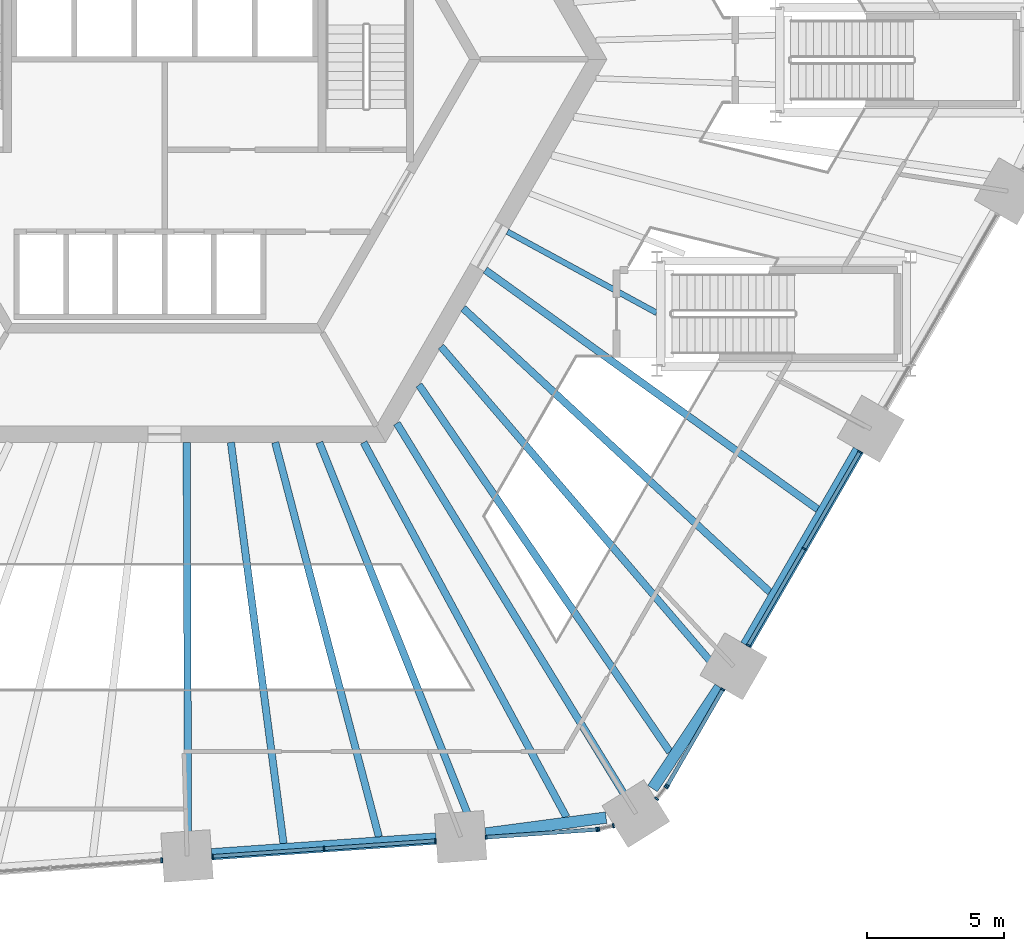
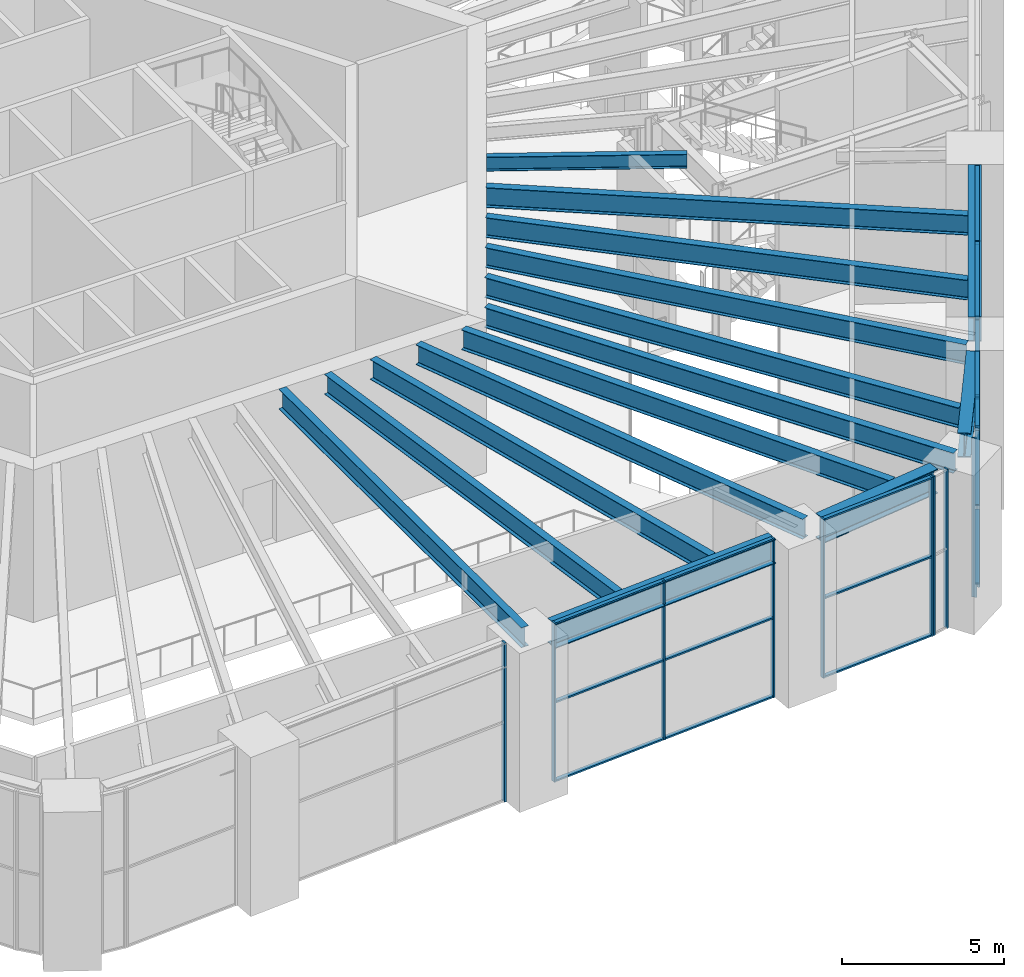
# One storey, part 5 of 32: 33 members, 15 beams, 7 elements without a shape of their own.
"""IFC4 building model written with IfcOpenShell, lengths in metres."""

from ifc_helpers import new_model, si_unit, direction, frame, origin, origin_2d, place, context, subcontext, project, spatial, rectangle, i_section, extrude, material, material_profile, profile_set, type_object, element, aggregate, save


model = new_model("IFC4")

# Units and contexts
model_context = context("Model", 3, precision=1e-05, world=origin(), true_north=direction((0.0, 1.0)))
body_context = subcontext(model_context, "Body", "Model", "MODEL_VIEW")
ifc_project = project(units=[si_unit("LENGTHUNIT", "METRE"), si_unit("AREAUNIT", "SQUARE_METRE"), si_unit("VOLUMEUNIT", "CUBIC_METRE"), si_unit("PLANEANGLEUNIT", "RADIAN"), si_unit("MASSUNIT", "GRAM", prefix="KILO")], contexts=[model_context])

# Site, building, storey
site_placement = place(None, origin())
site = spatial("IfcSite", under=ifc_project, at=site_placement, CompositionType="ELEMENT")
building_placement = place(site_placement, origin())
building = spatial("IfcBuilding", under=site, at=building_placement, Name="Tarnside Tower", CompositionType="ELEMENT")
storey_placement = place(building_placement, frame((0.0, 0.0, 9.0)))
storey = spatial("IfcBuildingStorey", under=building, at=storey_placement, Name="L01", CompositionType="ELEMENT", Elevation=9.0)

# Beams
ifc_material_1 = material(Name="Steel S355", Category="steel")
ifc_material_profile_1 = material_profile(ifc_material_1, i_section(OverallWidth=0.209228515625, OverallDepth=0.533203125, WebThickness=0.010009765625, FlangeThickness=0.015625, FilletRadius=0.0126953125, at=origin_2d()), Name="UB 533x210x92")
ifc_profile_set_1 = profile_set([ifc_material_profile_1], Name="Steel S355")
beam_type_1 = type_object("IfcBeamType", Name="Floor beam UB 533x210x92", PredefinedType="BEAM", material=ifc_profile_set_1)
beam_1_placement = place(storey_placement, frame((17.982421875, -9.26513671875, 5.4833984375), z_axis=(-0.878554552905, 0.477642018221, 0.0), x_axis=(-0.477642018221, -0.878554552905, 0.0)))
element("IfcBeam", 1, at=beam_1_placement, inside=storey, type_object=beam_type_1, Name="Floor beam F5.05b", PredefinedType="BEAM", context=body_context, shape_type="SweptSolid", body=[
    extrude(i_section(OverallWidth=0.209228515625, OverallDepth=0.533203125, WebThickness=0.010009765625, FlangeThickness=0.015625, FilletRadius=0.0126953125, at=origin_2d()), origin(), (0.0, 0.0, 1.0), 6.207763671875),
])
ifc_material_profile_2 = material_profile(ifc_material_1, i_section(OverallWidth=0.26513671875, OverallDepth=0.75390625, WebThickness=0.0126953125, FlangeThickness=0.017578125, FilletRadius=0.0166015625, at=origin_2d()), Name="UB 762x267x147")
ifc_profile_set_2 = profile_set([ifc_material_profile_2], Name="Steel S355")
beam_type_2 = type_object("IfcBeamType", Name="Floor beam UB 762x267x147", PredefinedType="BEAM", material=ifc_profile_set_2)
beam_2_placement = place(storey_placement, frame((0.8623046875, -28.89990234375, 5.373046875), z_axis=(-0.003621146175, 0.999993443629, 0.0), x_axis=(-0.999993443629, -0.003621146175, 0.0)))
element("IfcBeam", 2, at=beam_2_placement, inside=storey, type_object=beam_type_2, Name="Floor beam F4.05", PredefinedType="BEAM", context=body_context, shape_type="SweptSolid", body=[
    extrude(i_section(OverallWidth=0.26513671875, OverallDepth=0.75390625, WebThickness=0.0126953125, FlangeThickness=0.017578125, FilletRadius=0.0166015625, at=origin_2d()), origin(), (0.0, 0.0, 1.0), 14.89990234375),
])
beam_3_placement = place(storey_placement, frame((4.34765625, -28.65625, 5.373046875), z_axis=(-0.130081949033, 0.991503245852, 0.0), x_axis=(-0.991503245852, -0.130081949033, 0.0)))
element("IfcBeam", 3, at=beam_3_placement, inside=storey, type_object=beam_type_2, Name="Floor beam F4.06", PredefinedType="BEAM", context=body_context, shape_type="SweptSolid", body=[
    extrude(i_section(OverallWidth=0.26513671875, OverallDepth=0.75390625, WebThickness=0.0126953125, FlangeThickness=0.017578125, FilletRadius=0.0166015625, at=origin_2d()), origin(), (0.0, 0.0, 1.0), 14.78173828125),
])
beam_4_placement = place(storey_placement, frame((7.83154296875, -28.41259765625, 5.373046875), z_axis=(-0.254320728051, 0.967119934281, 0.0), x_axis=(-0.967119934281, -0.254320728051, 0.0)))
element("IfcBeam", 4, at=beam_4_placement, inside=storey, type_object=beam_type_2, Name="Floor beam F4.07", PredefinedType="BEAM", context=body_context, shape_type="SweptSolid", body=[
    extrude(i_section(OverallWidth=0.26513671875, OverallDepth=0.75390625, WebThickness=0.0126953125, FlangeThickness=0.017578125, FilletRadius=0.0166015625, at=origin_2d()), origin(), (0.0, 0.0, 1.0), 14.902587890625),
])
beam_5_placement = place(storey_placement, frame((11.3017578125, -28.138671875, 5.373046875), z_axis=(-0.370729742981, 0.928740791432, 0.0), x_axis=(-0.928740791432, -0.370729742981, 0.0)))
element("IfcBeam", 5, at=beam_5_placement, inside=storey, type_object=beam_type_2, Name="Floor beam F4.08", PredefinedType="BEAM", context=body_context, shape_type="SweptSolid", body=[
    extrude(i_section(OverallWidth=0.26513671875, OverallDepth=0.75390625, WebThickness=0.0126953125, FlangeThickness=0.017578125, FilletRadius=0.0166015625, at=origin_2d()), origin(), (0.0, 0.0, 1.0), 15.223388671875),
])
beam_6_placement = place(storey_placement, frame((14.684814453125, -27.690673828125, 5.373046875), z_axis=(-0.476003739456, 0.879443255716, 0.0), x_axis=(-0.879443255716, -0.476003739456, 0.0)))
element("IfcBeam", 6, at=beam_6_placement, inside=storey, type_object=beam_type_2, Name="Floor beam F4.09", PredefinedType="BEAM", context=body_context, shape_type="SweptSolid", body=[
    extrude(i_section(OverallWidth=0.26513671875, OverallDepth=0.75390625, WebThickness=0.0126953125, FlangeThickness=0.017578125, FilletRadius=0.0166015625, at=origin_2d()), origin(), (0.0, 0.0, 1.0), 15.5673828125),
])
beam_7_placement = place(storey_placement, frame((20.351806640625, -22.47021484375, 5.373046875), z_axis=(-0.650356182347, 0.759629407068, 0.0), x_axis=(-0.759629407068, -0.650356182347, 0.0)))
element("IfcBeam", 7, at=beam_7_placement, inside=storey, type_object=beam_type_2, Name="Floor beam F5.02", PredefinedType="BEAM", context=body_context, shape_type="SweptSolid", body=[
    extrude(i_section(OverallWidth=0.26513671875, OverallDepth=0.75390625, WebThickness=0.0126953125, FlangeThickness=0.017578125, FilletRadius=0.0166015625, at=origin_2d()), origin(), (0.0, 0.0, 1.0), 15.758056640625),
])
beam_8_placement = place(storey_placement, frame((22.119384765625, -19.467529296875, 5.373046875), z_axis=(-0.734083895409, 0.679058785748, 0.0), x_axis=(-0.679058785748, -0.734083895409, 0.0)))
element("IfcBeam", 8, at=beam_8_placement, inside=storey, type_object=beam_type_2, Name="Floor beam F5.03", PredefinedType="BEAM", context=body_context, shape_type="SweptSolid", body=[
    extrude(i_section(OverallWidth=0.26513671875, OverallDepth=0.75390625, WebThickness=0.0126953125, FlangeThickness=0.017578125, FilletRadius=0.0166015625, at=origin_2d()), origin(), (0.0, 0.0, 1.0), 15.267333984375),
])
beam_9_placement = place(storey_placement, frame((23.86669921875, -16.441162109375, 5.373046875), z_axis=(-0.811669235156, 0.584117327856, 0.0), x_axis=(-0.584117327856, -0.811669235156, 0.0)))
element("IfcBeam", 9, at=beam_9_placement, inside=storey, type_object=beam_type_2, Name="Floor beam F5.04", PredefinedType="BEAM", context=body_context, shape_type="SweptSolid", body=[
    extrude(i_section(OverallWidth=0.26513671875, OverallDepth=0.75390625, WebThickness=0.0126953125, FlangeThickness=0.017578125, FilletRadius=0.0166015625, at=origin_2d()), origin(), (0.0, 0.0, 1.0), 14.96484375),
])
ifc_material_profile_3 = material_profile(ifc_material_1, i_section(OverallWidth=0.2666015625, OverallDepth=0.76220703125, WebThickness=0.014404296875, FlangeThickness=0.021484375, FilletRadius=0.0166015625, at=origin_2d()), Name="UB 762x267x173")
ifc_profile_set_3 = profile_set([ifc_material_profile_3], Name="Steel S355")
beam_type_3 = type_object("IfcBeamType", Name="Floor beam UB 762x267x173", PredefinedType="BEAM", material=ifc_profile_set_3)
beam_10_placement = place(storey_placement, frame((17.107421875, -27.364013671875, 5.368896484375), z_axis=(-0.522584616484, 0.852587425789, 0.0), x_axis=(-0.852587425789, -0.522584616484, 0.0)))
element("IfcBeam", 10, at=beam_10_placement, inside=storey, type_object=beam_type_3, Name="Floor beam C4", PredefinedType="BEAM", context=body_context, shape_type="SweptSolid", body=[
    extrude(i_section(OverallWidth=0.2666015625, OverallDepth=0.76220703125, WebThickness=0.014404296875, FlangeThickness=0.021484375, FilletRadius=0.0166015625, at=origin_2d()), origin(), (0.0, 0.0, 1.0), 16.49560546875),
])
beam_11_placement = place(storey_placement, frame((18.4658203125, -25.314697265625, 5.368896484375), z_axis=(-0.564342929086, 0.825540464418, 0.0), x_axis=(-0.825540464418, -0.564342929086, 0.0)))
element("IfcBeam", 11, at=beam_11_placement, inside=storey, type_object=beam_type_3, Name="Floor beam F5.01", PredefinedType="BEAM", context=body_context, shape_type="SweptSolid", body=[
    extrude(i_section(OverallWidth=0.2666015625, OverallDepth=0.76220703125, WebThickness=0.014404296875, FlangeThickness=0.021484375, FilletRadius=0.0166015625, at=origin_2d()), origin(), (0.0, 0.0, 1.0), 16.249755859375),
])

# Curtain wall, member
ifc_material_2 = material(Name="Lobby entrance glazing wall", Category="glass")
curtain_wall_type_1 = type_object("IfcCurtainWallType", Name="Lobby entrance glazing wall", PredefinedType="NOTDEFINED", material=ifc_material_2)
curtain_wall_1_placement = place(storey_placement, origin())
curtain_wall_1 = element("IfcCurtainWall", 12, at=curtain_wall_1_placement, inside=storey, type_object=curtain_wall_type_1, Name="Lobby entrance glazing L01 12.0", PredefinedType="NOTDEFINED")
ifc_material_3 = material(Name="Aluminium alloy 6063", Category="aluminium")
ifc_material_profile_4 = material_profile(ifc_material_3, rectangle(XDim=0.179931640625, YDim=0.070068359375, at=origin_2d()), Name="Lobby entrance glazing mullion 70 x 180")
ifc_profile_set_4 = profile_set([ifc_material_profile_4], Name="Aluminium alloy 6063")
member_type_1 = type_object("IfcMemberType", Name="Lobby entrance glazing mullion 70 x 180", PredefinedType="MULLION", material=ifc_profile_set_4)
member_1_placement = place(storey_placement, frame((-0.104736328125, -29.2685546875, -0.25), z_axis=(0.0, 0.0, 1.0), x_axis=(-0.069756473779, 0.997564050257, 0.0)))
member_1 = element("IfcMember", 13, at=member_1_placement, type_object=member_type_1, Name="CW3 mullion 3", PredefinedType="MULLION", context=body_context, shape_type="SweptSolid", body=[
    extrude(rectangle(XDim=0.179931640625, YDim=0.070068359375, at=origin_2d()), origin(), (0.0, 0.0, 1.0), 6.0),
])
aggregate(curtain_wall_1, [member_1])

# Beams
ifc_material_4 = material(Name="Steel S460", Category="steel")
ifc_material_profile_5 = material_profile(ifc_material_4, i_section(OverallWidth=0.42041015625, OverallDepth=0.9208984375, WebThickness=0.021484375, FlangeThickness=0.03662109375, FilletRadius=0.024169921875, at=origin_2d()), Name="UB 914x419x388")
ifc_profile_set_5 = profile_set([ifc_material_profile_5], Name="Steel S460")
beam_type_4 = type_object("IfcBeamType", Name="Perimeter girder UB 914x419x388", PredefinedType="BEAM", material=ifc_profile_set_5)
beam_12_placement = place(storey_placement, frame((1.719482421875, -29.05078125, 5.28955078125), z_axis=(0.99756353515, 0.069763839764, 0.0), x_axis=(-0.069763839764, 0.99756353515, 0.0)))
element("IfcBeam", 14, at=beam_12_placement, inside=storey, type_object=beam_type_4, Name="Perimeter girder M14", PredefinedType="BEAM", context=body_context, shape_type="SweptSolid", body=[
    extrude(i_section(OverallWidth=0.42041015625, OverallDepth=0.9208984375, WebThickness=0.021484375, FlangeThickness=0.03662109375, FilletRadius=0.024169921875, at=origin_2d()), origin(), (0.0, 0.0, 1.0), 8.223876953125),
])
for number, where, z_axis, x_axis, name in (
    (15, (11.733154296875, -28.293701171875, 5.28955078125), (0.991349927248, 0.13124527323, 0.0), (-0.13124527323, 0.991349927248, 0.0), "Perimeter girder M15"),
    (16, (17.833251953125, -26.649658203125, 5.28955078125), (0.55252857913, 0.833493952734, 0.0), (-0.833493952734, 0.55252857913, 0.0), "Perimeter girder M16"),
):
    element("IfcBeam", number, at=place(storey_placement, frame(where, z_axis=z_axis, x_axis=x_axis)), inside=storey, type_object=beam_type_4, Name=name, PredefinedType="BEAM", context=body_context, shape_type="SweptSolid", body=[
        extrude(i_section(OverallWidth=0.42041015625, OverallDepth=0.9208984375, WebThickness=0.021484375, FlangeThickness=0.03662109375, FilletRadius=0.024169921875, at=origin_2d()), origin(), (0.0, 0.0, 1.0), 4.440185546875),
    ])
beam_13_placement = place(storey_placement, frame((21.2451171875, -21.402587890625, 5.28955078125), z_axis=(0.499989712218, 0.866031343357, 0.0), x_axis=(-0.866031343357, 0.499989712218, 0.0)))
element("IfcBeam", 17, at=beam_13_placement, inside=storey, type_object=beam_type_4, Name="Perimeter girder M17", PredefinedType="BEAM", context=body_context, shape_type="SweptSolid", body=[
    extrude(i_section(OverallWidth=0.42041015625, OverallDepth=0.9208984375, WebThickness=0.021484375, FlangeThickness=0.03662109375, FilletRadius=0.024169921875, at=origin_2d()), origin(), (0.0, 0.0, 1.0), 8.223876953125),
])

# Curtain wall, members
ifc_material_5 = material(Name="Retail shopfront glazing wall", Category="glass")
curtain_wall_type_2 = type_object("IfcCurtainWallType", Name="Retail shopfront glazing wall", PredefinedType="NOTDEFINED", material=ifc_material_5)
curtain_wall_2_placement = place(storey_placement, origin())
curtain_wall_2 = element("IfcCurtainWall", 18, at=curtain_wall_2_placement, inside=storey, type_object=curtain_wall_type_2, Name="Retail shopfront glazing L01 13.0", PredefinedType="NOTDEFINED")
ifc_material_profile_6 = material_profile(ifc_material_3, rectangle(XDim=0.159912109375, YDim=0.06005859375, at=origin_2d()), Name="Retail shopfront glazing mullion 60 x 160")
ifc_profile_set_6 = profile_set([ifc_material_profile_6], Name="Aluminium alloy 6063")
member_type_2 = type_object("IfcMemberType", Name="Retail shopfront glazing mullion 60 x 160", PredefinedType="MULLION", material=ifc_profile_set_6)
member_2_placement = place(storey_placement, frame((1.755126953125, -29.12841796875, -0.25), z_axis=(0.0, 0.0, 1.0), x_axis=(-0.069756473779, 0.997564050257, 0.0)))
member_2 = element("IfcMember", 19, at=member_2_placement, type_object=member_type_2, Name="CW2 mullion 1", PredefinedType="MULLION", context=body_context, shape_type="SweptSolid", body=[
    extrude(rectangle(XDim=0.159912109375, YDim=0.06005859375, at=origin_2d()), origin(), (0.0, 0.0, 1.0), 6.0),
])
member_3_placement = place(storey_placement, frame((5.826904296875, -28.84375, -0.25), z_axis=(0.0, 0.0, 1.0), x_axis=(-0.069756473779, 0.997564050257, 0.0)))
member_3 = element("IfcMember", 20, at=member_3_placement, type_object=member_type_2, Name="CW2 mullion 2", PredefinedType="MULLION", context=body_context, shape_type="SweptSolid", body=[
    extrude(rectangle(XDim=0.159912109375, YDim=0.06005859375, at=origin_2d()), origin(), (0.0, 0.0, 1.0), 6.0),
])
member_4_placement = place(storey_placement, frame((9.89892578125, -28.55908203125, -0.25), z_axis=(0.0, 0.0, 1.0), x_axis=(-0.069756473779, 0.997564050257, 0.0)))
member_4 = element("IfcMember", 21, at=member_4_placement, type_object=member_type_2, Name="CW2 mullion 3", PredefinedType="MULLION", context=body_context, shape_type="SweptSolid", body=[
    extrude(rectangle(XDim=0.159912109375, YDim=0.06005859375, at=origin_2d()), origin(), (0.0, 0.0, 1.0), 6.0),
])

curtain_wall_3_placement = place(storey_placement, origin())
curtain_wall_3 = element("IfcCurtainWall", 22, at=curtain_wall_3_placement, inside=storey, type_object=curtain_wall_type_2, Name="Retail shopfront glazing L01 14.0", PredefinedType="NOTDEFINED")
member_5_placement = place(storey_placement, frame((11.75439453125, -28.42919921875, -0.25), z_axis=(0.0, 0.0, 1.0), x_axis=(-0.069756473918, 0.997564050248, 0.0)))
member_5 = element("IfcMember", 23, at=member_5_placement, type_object=member_type_2, Name="CW2 mullion 1", PredefinedType="MULLION", context=body_context, shape_type="SweptSolid", body=[
    extrude(rectangle(XDim=0.159912109375, YDim=0.06005859375, at=origin_2d()), origin(), (0.0, 0.0, 1.0), 6.0),
])
member_6_placement = place(storey_placement, frame((15.79638671875, -28.146728515625, -0.25), z_axis=(0.0, 0.0, 1.0), x_axis=(-0.069756473918, 0.997564050248, 0.0)))
member_6 = element("IfcMember", 24, at=member_6_placement, type_object=member_type_2, Name="CW2 mullion 2", PredefinedType="MULLION", context=body_context, shape_type="SweptSolid", body=[
    extrude(rectangle(XDim=0.159912109375, YDim=0.06005859375, at=origin_2d()), origin(), (0.0, 0.0, 1.0), 6.0),
])

curtain_wall_4_placement = place(storey_placement, origin())
curtain_wall_4 = element("IfcCurtainWall", 25, at=curtain_wall_4_placement, inside=storey, type_object=curtain_wall_type_2, Name="Retail shopfront glazing L01 14.1", PredefinedType="NOTDEFINED")
member_7_placement = place(storey_placement, frame((15.868408203125, -28.1357421875, -0.25), z_axis=(0.0, 0.0, 1.0), x_axis=(-0.230615871127, 0.973044870489, 0.0)))
member_7 = element("IfcMember", 26, at=member_7_placement, type_object=member_type_2, Name="CW2 mullion 1", PredefinedType="MULLION", context=body_context, shape_type="SweptSolid", body=[
    extrude(rectangle(XDim=0.159912109375, YDim=0.06005859375, at=origin_2d()), origin(), (0.0, 0.0, 1.0), 6.0),
])
member_8_placement = place(storey_placement, frame((16.40185546875, -28.00927734375, -0.25), z_axis=(0.0, 0.0, 1.0), x_axis=(-0.230615871127, 0.973044870489, 0.0)))
member_8 = element("IfcMember", 27, at=member_8_placement, type_object=member_type_2, Name="CW2 mullion 2", PredefinedType="MULLION", context=body_context, shape_type="SweptSolid", body=[
    extrude(rectangle(XDim=0.159912109375, YDim=0.06005859375, at=origin_2d()), origin(), (0.0, 0.0, 1.0), 6.0),
])
aggregate(curtain_wall_4, [member_7, member_8])

curtain_wall_5_placement = place(storey_placement, origin())
curtain_wall_5 = element("IfcCurtainWall", 28, at=curtain_wall_5_placement, inside=storey, type_object=curtain_wall_type_2, Name="Retail shopfront glazing L01 15.0", PredefinedType="NOTDEFINED")
member_9_placement = place(storey_placement, frame((17.984375, -27.020263671875, -0.25), z_axis=(0.0, 0.0, 1.0), x_axis=(-0.77347159307, 0.633830966989, 0.0)))
member_9 = element("IfcMember", 29, at=member_9_placement, type_object=member_type_2, Name="CW2 mullion 1", PredefinedType="MULLION", context=body_context, shape_type="SweptSolid", body=[
    extrude(rectangle(XDim=0.159912109375, YDim=0.06005859375, at=origin_2d()), origin(), (0.0, 0.0, 1.0), 6.0),
])
member_10_placement = place(storey_placement, frame((18.33203125, -26.59619140625, -0.25), z_axis=(0.0, 0.0, 1.0), x_axis=(-0.77347159307, 0.633830966989, 0.0)))
member_10 = element("IfcMember", 30, at=member_10_placement, type_object=member_type_2, Name="CW2 mullion 2", PredefinedType="MULLION", context=body_context, shape_type="SweptSolid", body=[
    extrude(rectangle(XDim=0.159912109375, YDim=0.06005859375, at=origin_2d()), origin(), (0.0, 0.0, 1.0), 6.0),
])
aggregate(curtain_wall_5, [member_9, member_10])

curtain_wall_6_placement = place(storey_placement, origin())
curtain_wall_6 = element("IfcCurtainWall", 31, at=curtain_wall_6_placement, inside=storey, type_object=curtain_wall_type_2, Name="Retail shopfront glazing L01 15.1", PredefinedType="NOTDEFINED")
member_11_placement = place(storey_placement, frame((18.373291015625, -26.536376953125, -0.25), z_axis=(0.0, 0.0, 1.0), x_axis=(-0.866025403767, 0.50000000003, 0.0)))
member_11 = element("IfcMember", 32, at=member_11_placement, type_object=member_type_2, Name="CW2 mullion 1", PredefinedType="MULLION", context=body_context, shape_type="SweptSolid", body=[
    extrude(rectangle(XDim=0.159912109375, YDim=0.06005859375, at=origin_2d()), origin(), (0.0, 0.0, 1.0), 6.0),
])
member_12_placement = place(storey_placement, frame((20.3994140625, -23.02734375, -0.25), z_axis=(0.0, 0.0, 1.0), x_axis=(-0.866025403767, 0.50000000003, 0.0)))
member_12 = element("IfcMember", 33, at=member_12_placement, type_object=member_type_2, Name="CW2 mullion 2", PredefinedType="MULLION", context=body_context, shape_type="SweptSolid", body=[
    extrude(rectangle(XDim=0.159912109375, YDim=0.06005859375, at=origin_2d()), origin(), (0.0, 0.0, 1.0), 6.0),
])

curtain_wall_7_placement = place(storey_placement, origin())
curtain_wall_7 = element("IfcCurtainWall", 34, at=curtain_wall_7_placement, inside=storey, type_object=curtain_wall_type_2, Name="Retail shopfront glazing L01 16.0", PredefinedType="NOTDEFINED")
member_13_placement = place(storey_placement, frame((21.329345703125, -21.41650390625, -0.25), z_axis=(0.0, 0.0, 1.0), x_axis=(-0.866025403819, 0.49999999994, 0.0)))
member_13 = element("IfcMember", 35, at=member_13_placement, type_object=member_type_2, Name="CW2 mullion 1", PredefinedType="MULLION", context=body_context, shape_type="SweptSolid", body=[
    extrude(rectangle(XDim=0.159912109375, YDim=0.06005859375, at=origin_2d()), origin(), (0.0, 0.0, 1.0), 6.0),
])
member_14_placement = place(storey_placement, frame((23.370361328125, -17.881591796875, -0.25), z_axis=(0.0, 0.0, 1.0), x_axis=(-0.866025403819, 0.49999999994, 0.0)))
member_14 = element("IfcMember", 36, at=member_14_placement, type_object=member_type_2, Name="CW2 mullion 2", PredefinedType="MULLION", context=body_context, shape_type="SweptSolid", body=[
    extrude(rectangle(XDim=0.159912109375, YDim=0.06005859375, at=origin_2d()), origin(), (0.0, 0.0, 1.0), 6.0),
])
member_15_placement = place(storey_placement, frame((25.4111328125, -14.3466796875, -0.25), z_axis=(0.0, 0.0, 1.0), x_axis=(-0.866025403819, 0.49999999994, 0.0)))
member_15 = element("IfcMember", 37, at=member_15_placement, type_object=member_type_2, Name="CW2 mullion 3", PredefinedType="MULLION", context=body_context, shape_type="SweptSolid", body=[
    extrude(rectangle(XDim=0.159912109375, YDim=0.06005859375, at=origin_2d()), origin(), (0.0, 0.0, 1.0), 6.0),
])

# Member
ifc_material_profile_7 = material_profile(ifc_material_3, rectangle(XDim=0.139892578125, YDim=0.06005859375, at=origin_2d()), Name="Retail shopfront glazing transom 60 x 140")
ifc_profile_set_7 = profile_set([ifc_material_profile_7], Name="Aluminium alloy 6063")
member_type_3 = type_object("IfcMemberType", Name="Retail shopfront glazing transom 60 x 140", PredefinedType="USERDEFINED", material=ifc_profile_set_7)
member_16_placement = place(storey_placement, frame((1.784912109375, -29.12646484375, -0.219970703125), z_axis=(0.99756479881, 0.069745768153, 0.0), x_axis=(-0.069745768153, 0.99756479881, 0.0)))
member_16 = element("IfcMember", 38, at=member_16_placement, type_object=member_type_3, Name="CW2 transom 1.1", ObjectType="TRANSOM", PredefinedType="USERDEFINED", context=body_context, shape_type="SweptSolid", body=[
    extrude(rectangle(XDim=0.139892578125, YDim=0.06005859375, at=origin_2d()), origin(), (0.0, 0.0, 1.0), 4.02197265625),
])

member_17_placement = place(storey_placement, frame((1.784912109375, -29.12646484375, 2.75), z_axis=(0.99756479881, 0.069745768153, 0.0), x_axis=(-0.069745768153, 0.99756479881, 0.0)))
member_17 = element("IfcMember", 39, at=member_17_placement, type_object=member_type_3, Name="CW2 transom 1.2", ObjectType="TRANSOM", PredefinedType="USERDEFINED", context=body_context, shape_type="SweptSolid", body=[
    extrude(rectangle(XDim=0.139892578125, YDim=0.06005859375, at=origin_2d()), origin(), (0.0, 0.0, 1.0), 4.02197265625),
])

member_18_placement = place(storey_placement, frame((1.784912109375, -29.12646484375, 5.719970703125), z_axis=(0.99756479881, 0.069745768153, 0.0), x_axis=(-0.069745768153, 0.99756479881, 0.0)))
member_18 = element("IfcMember", 40, at=member_18_placement, type_object=member_type_3, Name="CW2 transom 1.3", ObjectType="TRANSOM", PredefinedType="USERDEFINED", context=body_context, shape_type="SweptSolid", body=[
    extrude(rectangle(XDim=0.139892578125, YDim=0.06005859375, at=origin_2d()), origin(), (0.0, 0.0, 1.0), 4.02197265625),
])

member_19_placement = place(storey_placement, frame((5.85693359375, -28.841796875, -0.219970703125), z_axis=(0.997560277835, 0.069810400992, 0.0), x_axis=(-0.069810400992, 0.997560277835, 0.0)))
member_19 = element("IfcMember", 41, at=member_19_placement, type_object=member_type_3, Name="CW2 transom 2.1", ObjectType="TRANSOM", PredefinedType="USERDEFINED", context=body_context, shape_type="SweptSolid", body=[
    extrude(rectangle(XDim=0.139892578125, YDim=0.06005859375, at=origin_2d()), origin(), (0.0, 0.0, 1.0), 4.021728515625),
])

member_20_placement = place(storey_placement, frame((5.85693359375, -28.841796875, 2.75), z_axis=(0.997560277835, 0.069810400992, 0.0), x_axis=(-0.069810400992, 0.997560277835, 0.0)))
member_20 = element("IfcMember", 42, at=member_20_placement, type_object=member_type_3, Name="CW2 transom 2.2", ObjectType="TRANSOM", PredefinedType="USERDEFINED", context=body_context, shape_type="SweptSolid", body=[
    extrude(rectangle(XDim=0.139892578125, YDim=0.06005859375, at=origin_2d()), origin(), (0.0, 0.0, 1.0), 4.021728515625),
])

member_21_placement = place(storey_placement, frame((5.85693359375, -28.841796875, 5.719970703125), z_axis=(0.997560277835, 0.069810400992, 0.0), x_axis=(-0.069810400992, 0.997560277835, 0.0)))
member_21 = element("IfcMember", 43, at=member_21_placement, type_object=member_type_3, Name="CW2 transom 2.3", ObjectType="TRANSOM", PredefinedType="USERDEFINED", context=body_context, shape_type="SweptSolid", body=[
    extrude(rectangle(XDim=0.139892578125, YDim=0.06005859375, at=origin_2d()), origin(), (0.0, 0.0, 1.0), 4.021728515625),
])

aggregate(curtain_wall_2, [member_2, member_3, member_4, member_16, member_17, member_18, member_19, member_20, member_21])

member_22_placement = place(storey_placement, frame((11.7841796875, -28.42724609375, -0.219970703125), z_axis=(0.99756224643, 0.069782264924, 0.0), x_axis=(-0.069782264924, 0.99756224643, 0.0)))
member_22 = element("IfcMember", 44, at=member_22_placement, type_object=member_type_3, Name="CW2 transom 1.1", ObjectType="TRANSOM", PredefinedType="USERDEFINED", context=body_context, shape_type="SweptSolid", body=[
    extrude(rectangle(XDim=0.139892578125, YDim=0.06005859375, at=origin_2d()), origin(), (0.0, 0.0, 1.0), 3.991943359375),
])

member_23_placement = place(storey_placement, frame((11.7841796875, -28.42724609375, 2.75), z_axis=(0.99756224643, 0.069782264924, 0.0), x_axis=(-0.069782264924, 0.99756224643, 0.0)))
member_23 = element("IfcMember", 45, at=member_23_placement, type_object=member_type_3, Name="CW2 transom 1.2", ObjectType="TRANSOM", PredefinedType="USERDEFINED", context=body_context, shape_type="SweptSolid", body=[
    extrude(rectangle(XDim=0.139892578125, YDim=0.06005859375, at=origin_2d()), origin(), (0.0, 0.0, 1.0), 3.991943359375),
])

member_24_placement = place(storey_placement, frame((11.7841796875, -28.42724609375, 5.719970703125), z_axis=(0.99756224643, 0.069782264924, 0.0), x_axis=(-0.069782264924, 0.99756224643, 0.0)))
member_24 = element("IfcMember", 46, at=member_24_placement, type_object=member_type_3, Name="CW2 transom 1.3", ObjectType="TRANSOM", PredefinedType="USERDEFINED", context=body_context, shape_type="SweptSolid", body=[
    extrude(rectangle(XDim=0.139892578125, YDim=0.06005859375, at=origin_2d()), origin(), (0.0, 0.0, 1.0), 3.991943359375),
])

aggregate(curtain_wall_3, [member_5, member_6, member_22, member_23, member_24])

member_25_placement = place(storey_placement, frame((18.388427734375, -26.51025390625, -0.219970703125), z_axis=(0.499987164874, 0.866032814021, 0.0), x_axis=(-0.866032814021, 0.499987164874, 0.0)))
member_25 = element("IfcMember", 47, at=member_25_placement, type_object=member_type_3, Name="CW2 transom 1.1", ObjectType="TRANSOM", PredefinedType="USERDEFINED", context=body_context, shape_type="SweptSolid", body=[
    extrude(rectangle(XDim=0.139892578125, YDim=0.06005859375, at=origin_2d()), origin(), (0.0, 0.0, 1.0), 3.99169921875),
])

member_26_placement = place(storey_placement, frame((18.388427734375, -26.51025390625, 2.75), z_axis=(0.499987164874, 0.866032814021, 0.0), x_axis=(-0.866032814021, 0.499987164874, 0.0)))
member_26 = element("IfcMember", 48, at=member_26_placement, type_object=member_type_3, Name="CW2 transom 1.2", ObjectType="TRANSOM", PredefinedType="USERDEFINED", context=body_context, shape_type="SweptSolid", body=[
    extrude(rectangle(XDim=0.139892578125, YDim=0.06005859375, at=origin_2d()), origin(), (0.0, 0.0, 1.0), 3.99169921875),
])

member_27_placement = place(storey_placement, frame((18.388427734375, -26.51025390625, 5.719970703125), z_axis=(0.499987164874, 0.866032814021, 0.0), x_axis=(-0.866032814021, 0.499987164874, 0.0)))
member_27 = element("IfcMember", 49, at=member_27_placement, type_object=member_type_3, Name="CW2 transom 1.3", ObjectType="TRANSOM", PredefinedType="USERDEFINED", context=body_context, shape_type="SweptSolid", body=[
    extrude(rectangle(XDim=0.139892578125, YDim=0.06005859375, at=origin_2d()), origin(), (0.0, 0.0, 1.0), 3.99169921875),
])

aggregate(curtain_wall_6, [member_11, member_12, member_25, member_26, member_27])

member_28_placement = place(storey_placement, frame((21.34423828125, -21.390625, -0.219970703125), z_axis=(0.499997437312, 0.866026883348, 0.0), x_axis=(-0.866026883348, 0.499997437312, 0.0)))
member_28 = element("IfcMember", 50, at=member_28_placement, type_object=member_type_3, Name="CW2 transom 1.1", ObjectType="TRANSOM", PredefinedType="USERDEFINED", context=body_context, shape_type="SweptSolid", body=[
    extrude(rectangle(XDim=0.139892578125, YDim=0.06005859375, at=origin_2d()), origin(), (0.0, 0.0, 1.0), 4.02197265625),
])

member_29_placement = place(storey_placement, frame((21.34423828125, -21.390625, 2.75), z_axis=(0.499997437312, 0.866026883348, 0.0), x_axis=(-0.866026883348, 0.499997437312, 0.0)))
member_29 = element("IfcMember", 51, at=member_29_placement, type_object=member_type_3, Name="CW2 transom 1.2", ObjectType="TRANSOM", PredefinedType="USERDEFINED", context=body_context, shape_type="SweptSolid", body=[
    extrude(rectangle(XDim=0.139892578125, YDim=0.06005859375, at=origin_2d()), origin(), (0.0, 0.0, 1.0), 4.02197265625),
])

member_30_placement = place(storey_placement, frame((21.34423828125, -21.390625, 5.719970703125), z_axis=(0.499997437312, 0.866026883348, 0.0), x_axis=(-0.866026883348, 0.499997437312, 0.0)))
member_30 = element("IfcMember", 52, at=member_30_placement, type_object=member_type_3, Name="CW2 transom 1.3", ObjectType="TRANSOM", PredefinedType="USERDEFINED", context=body_context, shape_type="SweptSolid", body=[
    extrude(rectangle(XDim=0.139892578125, YDim=0.06005859375, at=origin_2d()), origin(), (0.0, 0.0, 1.0), 4.02197265625),
])

member_31_placement = place(storey_placement, frame((23.38525390625, -17.85546875, -0.219970703125), z_axis=(0.500023722852, 0.866011706956, 0.0), x_axis=(-0.866011706956, 0.500023722852, 0.0)))
member_31 = element("IfcMember", 53, at=member_31_placement, type_object=member_type_3, Name="CW2 transom 2.1", ObjectType="TRANSOM", PredefinedType="USERDEFINED", context=body_context, shape_type="SweptSolid", body=[
    extrude(rectangle(XDim=0.139892578125, YDim=0.06005859375, at=origin_2d()), origin(), (0.0, 0.0, 1.0), 4.021728515625),
])

member_32_placement = place(storey_placement, frame((23.38525390625, -17.85546875, 2.75), z_axis=(0.500023722852, 0.866011706956, 0.0), x_axis=(-0.866011706956, 0.500023722852, 0.0)))
member_32 = element("IfcMember", 54, at=member_32_placement, type_object=member_type_3, Name="CW2 transom 2.2", ObjectType="TRANSOM", PredefinedType="USERDEFINED", context=body_context, shape_type="SweptSolid", body=[
    extrude(rectangle(XDim=0.139892578125, YDim=0.06005859375, at=origin_2d()), origin(), (0.0, 0.0, 1.0), 4.021728515625),
])

member_33_placement = place(storey_placement, frame((23.38525390625, -17.85546875, 5.719970703125), z_axis=(0.500023722852, 0.866011706956, 0.0), x_axis=(-0.866011706956, 0.500023722852, 0.0)))
member_33 = element("IfcMember", 55, at=member_33_placement, type_object=member_type_3, Name="CW2 transom 2.3", ObjectType="TRANSOM", PredefinedType="USERDEFINED", context=body_context, shape_type="SweptSolid", body=[
    extrude(rectangle(XDim=0.139892578125, YDim=0.06005859375, at=origin_2d()), origin(), (0.0, 0.0, 1.0), 4.021728515625),
])

aggregate(curtain_wall_7, [member_13, member_14, member_15, member_28, member_29, member_30, member_31, member_32, member_33])

save(model, "model.ifc")
